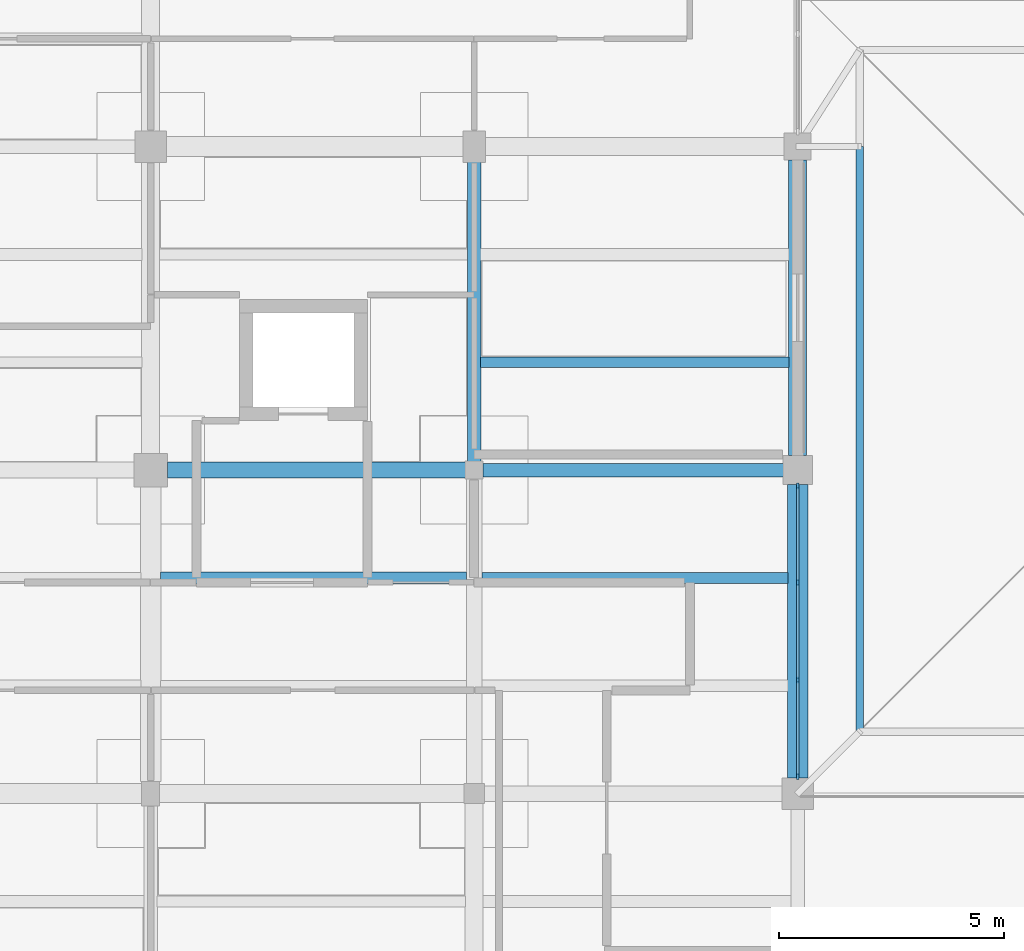
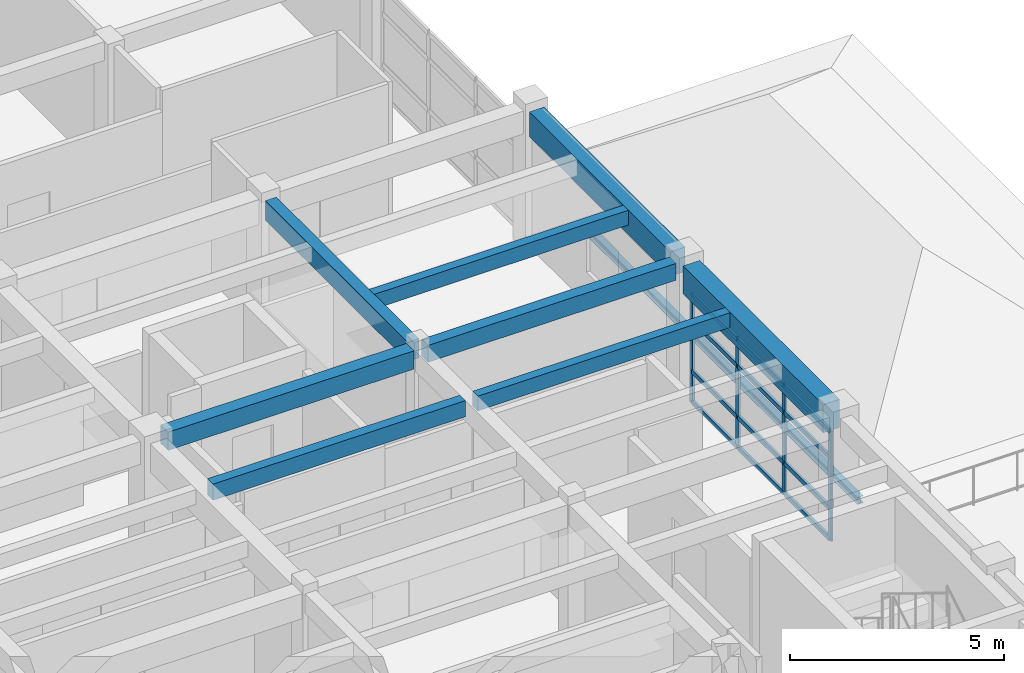
# One storey, part 13 of 55: 17 members, 8 beams, 1 element without a shape of its own.
"""IFC4 building model written with IfcOpenShell, lengths in metres."""

from ifc_helpers import new_model, si_unit, direction, frame, origin, origin_2d, place, context, subcontext, project, spatial, rectangle, i_section, extrude, material, material_profile, profile_set, type_object, element, aggregate, save


model = new_model("IFC4")

# Units and contexts
model_context = context("Model", 3, precision=1e-05, world=origin(), true_north=direction((0.0, 1.0)))
body_context = subcontext(model_context, "Body", "Model", "MODEL_VIEW")
ifc_project = project(units=[si_unit("LENGTHUNIT", "METRE"), si_unit("AREAUNIT", "SQUARE_METRE"), si_unit("VOLUMEUNIT", "CUBIC_METRE"), si_unit("PLANEANGLEUNIT", "RADIAN"), si_unit("MASSUNIT", "GRAM", prefix="KILO")], contexts=[model_context])

# Site, building, storey
site_placement = place(None, origin())
site = spatial("IfcSite", under=ifc_project, at=site_placement, CompositionType="ELEMENT")
building_placement = place(site_placement, origin())
building = spatial("IfcBuilding", under=site, at=building_placement, Name="Steenspoor Specialist Clinic", CompositionType="ELEMENT")
storey_placement = place(building_placement, frame((0.0, 0.0, 13.199951171875)))
storey = spatial("IfcBuildingStorey", under=building, at=storey_placement, Name="L03", CompositionType="ELEMENT", Elevation=13.199951171875)

# Beams
ifc_material_1 = material(Name="Concrete C35/45", Category="concrete")
ifc_material_profile_1 = material_profile(ifc_material_1, rectangle(XDim=0.300048828125, YDim=0.47998046875, at=origin_2d()), Name="RC-BM-300X480")
ifc_profile_set_1 = profile_set([ifc_material_profile_1], Name="Concrete C35/45")
beam_type_1 = type_object("IfcBeamType", Name="BM-RC-300X480", PredefinedType="BEAM", material=ifc_profile_set_1)
beam_1_placement = place(storey_placement, frame((139.794921875, 86.75, 3.7099609375), z_axis=(1.0, 0.0, 0.0), x_axis=(0.0, 1.0, 0.0)))
element("IfcBeam", 1, at=beam_1_placement, inside=storey, type_object=beam_type_1, Name="BM-V6-L03-X1716", PredefinedType="BEAM", context=body_context, shape_type="SweptSolid", body=[
    extrude(rectangle(XDim=0.300048828125, YDim=0.47998046875, at=origin_2d()), origin(), (0.0, 0.0, 1.0), 6.68505859375),
])
ifc_material_profile_2 = material_profile(ifc_material_1, rectangle(XDim=0.300048828125, YDim=0.550048828125, at=origin_2d()), Name="RC-BM-300X550")
ifc_profile_set_2 = profile_set([ifc_material_profile_2], Name="Concrete C35/45")
beam_type_2 = type_object("IfcBeamType", Name="BM-RC-300X550", PredefinedType="BEAM", material=ifc_profile_set_2)
beam_2_placement = place(storey_placement, frame((139.60009765625, 86.945068359375, 3.675048828125), z_axis=(0.0, 1.0, 0.0), x_axis=(-1.0, 0.0, 0.0)))
element("IfcBeam", 2, at=beam_2_placement, inside=storey, type_object=beam_type_2, Name="BM-V6-L03-Y1745", PredefinedType="BEAM", context=body_context, shape_type="SweptSolid", body=[
    extrude(rectangle(XDim=0.300048828125, YDim=0.550048828125, at=origin_2d()), origin(), (0.0, 0.0, 1.0), 6.659912109375),
])
ifc_material_profile_3 = material_profile(ifc_material_1, rectangle(XDim=0.35009765625, YDim=0.52001953125, at=origin_2d()), Name="RC-BM-350X520")
ifc_profile_set_3 = profile_set([ifc_material_profile_3], Name="Concrete C35/45")
beam_type_3 = type_object("IfcBeamType", Name="BM-RC-350X520", PredefinedType="BEAM", material=ifc_profile_set_3)
beam_3_placement = place(storey_placement, frame((132.77001953125, 86.75, 3.68994140625), z_axis=(1.0, 0.0, 0.0), x_axis=(0.0, 1.0, 0.0)))
element("IfcBeam", 3, at=beam_3_placement, inside=storey, type_object=beam_type_3, Name="BM-V6-L03-X1715", PredefinedType="BEAM", context=body_context, shape_type="SweptSolid", body=[
    extrude(rectangle(XDim=0.35009765625, YDim=0.52001953125, at=origin_2d()), origin(), (0.0, 0.0, 1.0), 6.635009765625),
])
ifc_material_profile_4 = material_profile(ifc_material_1, rectangle(XDim=0.39990234375, YDim=0.699951171875, at=origin_2d()), Name="RC-BM-400X700")
ifc_profile_set_4 = profile_set([ifc_material_profile_4], Name="Concrete C35/45")
beam_type_4 = type_object("IfcBeamType", Name="BM-RC-400X700", PredefinedType="BEAM", material=ifc_profile_set_4)
beam_4_placement = place(storey_placement, frame((146.800048828125, 87.070068359375, 3.60009765625), z_axis=(0.0, 1.0, 0.0), x_axis=(-1.0, 0.0, 0.0)))
element("IfcBeam", 4, at=beam_4_placement, inside=storey, type_object=beam_type_4, Name="BM-V6-L03-Y1749", PredefinedType="BEAM", context=body_context, shape_type="SweptSolid", body=[
    extrude(rectangle(XDim=0.39990234375, YDim=0.699951171875, at=origin_2d()), origin(), (0.0, 0.0, 1.0), 6.5849609375),
])
ifc_material_profile_5 = material_profile(ifc_material_1, rectangle(XDim=0.449951171875, YDim=0.800048828125, at=origin_2d()), Name="RC-BM-450X800")
ifc_profile_set_5 = profile_set([ifc_material_profile_5], Name="Concrete C35/45")
beam_type_5 = type_object("IfcBeamType", Name="BM-RC-450X800", PredefinedType="BEAM", material=ifc_profile_set_5)
beam_5_placement = place(storey_placement, frame((146.800048828125, 79.89501953125, 3.550048828125), z_axis=(0.0, 1.0, 0.0), x_axis=(-1.0, 0.0, 0.0)))
element("IfcBeam", 5, at=beam_5_placement, inside=storey, type_object=beam_type_5, Name="BM-V6-L03-Y1748", PredefinedType="BEAM", context=body_context, shape_type="SweptSolid", body=[
    extrude(rectangle(XDim=0.449951171875, YDim=0.800048828125, at=origin_2d()), origin(), (0.0, 0.0, 1.0), 6.534912109375),
])

# Curtain wall, members
ifc_material_2 = material(Name="Thermally broken aluminium and low-emissivity glass", Category="aluminium")
curtain_wall_type = type_object("IfcCurtainWallType", Name="CW-TYP-650X355", PredefinedType="USERDEFINED", material=ifc_material_2)
curtain_wall_placement = place(storey_placement, origin())
curtain_wall = element("IfcCurtainWall", 6, at=curtain_wall_placement, inside=storey, type_object=curtain_wall_type, Name="Unitised Curtain Wall CW-V6-L03-202", ObjectType="UNITISED GLAZING", PredefinedType="USERDEFINED")
ifc_material_3 = material(Name="Thermally broken aluminium 6063-T6", Category="aluminium")
ifc_material_profile_6 = material_profile(ifc_material_3, rectangle(XDim=0.06005859375, YDim=0.135009765625, at=origin_2d()), Name="CWM-60X135")
ifc_profile_set_6 = profile_set([ifc_material_profile_6], Name="Thermally broken aluminium 6063-T6")
member_type_1 = type_object("IfcMemberType", Name="CW-MULL-60X135", PredefinedType="MULLION", material=ifc_profile_set_6)
member_1_placement = place(storey_placement, frame((146.800048828125, 86.39501953125, 0.0), z_axis=(0.0, 0.0, 1.0), x_axis=(1.0, 0.0, 0.0)))
member_1 = element("IfcMember", 7, at=member_1_placement, type_object=member_type_1, Name="CW-10 mullion 1", PredefinedType="MULLION", context=body_context, shape_type="SweptSolid", body=[
    extrude(rectangle(XDim=0.06005859375, YDim=0.135009765625, at=origin_2d()), origin(), (0.0, 0.0, 1.0), 3.130126953125),
])
member_2_placement = place(storey_placement, frame((146.800048828125, 84.25, 0.0), z_axis=(0.0, 0.0, 1.0), x_axis=(1.0, 0.0, 0.0)))
member_2 = element("IfcMember", 8, at=member_2_placement, type_object=member_type_1, Name="CW-10 mullion 2", PredefinedType="MULLION", context=body_context, shape_type="SweptSolid", body=[
    extrude(rectangle(XDim=0.06005859375, YDim=0.135009765625, at=origin_2d()), origin(), (0.0, 0.0, 1.0), 3.130126953125),
])
member_3_placement = place(storey_placement, frame((146.800048828125, 82.074951171875, 0.0), z_axis=(0.0, 0.0, 1.0), x_axis=(1.0, 0.0, 0.0)))
member_3 = element("IfcMember", 9, at=member_3_placement, type_object=member_type_1, Name="CW-10 mullion 3", PredefinedType="MULLION", context=body_context, shape_type="SweptSolid", body=[
    extrude(rectangle(XDim=0.06005859375, YDim=0.135009765625, at=origin_2d()), origin(), (0.0, 0.0, 1.0), 3.130126953125),
])
member_4_placement = place(storey_placement, frame((146.800048828125, 79.929931640625, 0.0), z_axis=(0.0, 0.0, 1.0), x_axis=(1.0, 0.0, 0.0)))
member_4 = element("IfcMember", 10, at=member_4_placement, type_object=member_type_1, Name="CW-10 mullion 4", PredefinedType="MULLION", context=body_context, shape_type="SweptSolid", body=[
    extrude(rectangle(XDim=0.06005859375, YDim=0.135009765625, at=origin_2d()), origin(), (0.0, 0.0, 1.0), 3.130126953125),
])
ifc_material_profile_7 = material_profile(ifc_material_3, rectangle(XDim=0.06494140625, YDim=0.1298828125, at=origin_2d()), Name="CWT-65X130")
ifc_profile_set_7 = profile_set([ifc_material_profile_7], Name="Thermally broken aluminium 6063-T6")
member_type_2 = type_object("IfcMemberType", Name="CW-TRAN-65X130", PredefinedType="USERDEFINED", material=ifc_profile_set_7)
member_5_placement = place(storey_placement, frame((146.800048828125, 86.364990234375, 0.032470703125), z_axis=(0.0, -1.0, 0.0), x_axis=(1.0, 0.0, 0.0)))
member_5 = element("IfcMember", 11, at=member_5_placement, type_object=member_type_2, Name="CW-10 transom 1.1", ObjectType="TRANSOM", PredefinedType="USERDEFINED", context=body_context, shape_type="SweptSolid", body=[
    extrude(rectangle(XDim=0.06494140625, YDim=0.1298828125, at=origin_2d()), origin(), (0.0, 0.0, 1.0), 2.0849609375),
])
member_6_placement = place(storey_placement, frame((146.800048828125, 86.364990234375, 0.900146484375), z_axis=(0.0, -1.0, 0.0), x_axis=(1.0, 0.0, 0.0)))
member_6 = element("IfcMember", 12, at=member_6_placement, type_object=member_type_2, Name="CW-10 transom 1.2", ObjectType="TRANSOM", PredefinedType="USERDEFINED", context=body_context, shape_type="SweptSolid", body=[
    extrude(rectangle(XDim=0.06494140625, YDim=0.1298828125, at=origin_2d()), origin(), (0.0, 0.0, 1.0), 2.0849609375),
])
member_7_placement = place(storey_placement, frame((146.800048828125, 86.364990234375, 2.35009765625), z_axis=(0.0, -1.0, 0.0), x_axis=(1.0, 0.0, 0.0)))
member_7 = element("IfcMember", 13, at=member_7_placement, type_object=member_type_2, Name="CW-10 transom 1.3", ObjectType="TRANSOM", PredefinedType="USERDEFINED", context=body_context, shape_type="SweptSolid", body=[
    extrude(rectangle(XDim=0.06494140625, YDim=0.1298828125, at=origin_2d()), origin(), (0.0, 0.0, 1.0), 2.0849609375),
])
member_8_placement = place(storey_placement, frame((146.800048828125, 86.364990234375, 3.09765625), z_axis=(0.0, -1.0, 0.0), x_axis=(1.0, 0.0, 0.0)))
member_8 = element("IfcMember", 14, at=member_8_placement, type_object=member_type_2, Name="CW-10 transom 1.4", ObjectType="TRANSOM", PredefinedType="USERDEFINED", context=body_context, shape_type="SweptSolid", body=[
    extrude(rectangle(XDim=0.06494140625, YDim=0.1298828125, at=origin_2d()), origin(), (0.0, 0.0, 1.0), 2.0849609375),
])
member_9_placement = place(storey_placement, frame((146.800048828125, 84.219970703125, 0.032470703125), z_axis=(0.0, -1.0, 0.0), x_axis=(1.0, 0.0, 0.0)))
member_9 = element("IfcMember", 15, at=member_9_placement, type_object=member_type_2, Name="CW-10 transom 2.1", ObjectType="TRANSOM", PredefinedType="USERDEFINED", context=body_context, shape_type="SweptSolid", body=[
    extrude(rectangle(XDim=0.06494140625, YDim=0.1298828125, at=origin_2d()), origin(), (0.0, 0.0, 1.0), 2.114990234375),
])
member_10_placement = place(storey_placement, frame((146.800048828125, 84.219970703125, 0.900146484375), z_axis=(0.0, -1.0, 0.0), x_axis=(1.0, 0.0, 0.0)))
member_10 = element("IfcMember", 16, at=member_10_placement, type_object=member_type_2, Name="CW-10 transom 2.2", ObjectType="TRANSOM", PredefinedType="USERDEFINED", context=body_context, shape_type="SweptSolid", body=[
    extrude(rectangle(XDim=0.06494140625, YDim=0.1298828125, at=origin_2d()), origin(), (0.0, 0.0, 1.0), 2.114990234375),
])
member_11_placement = place(storey_placement, frame((146.800048828125, 84.219970703125, 2.35009765625), z_axis=(0.0, -1.0, 0.0), x_axis=(1.0, 0.0, 0.0)))
member_11 = element("IfcMember", 17, at=member_11_placement, type_object=member_type_2, Name="CW-10 transom 2.3", ObjectType="TRANSOM", PredefinedType="USERDEFINED", context=body_context, shape_type="SweptSolid", body=[
    extrude(rectangle(XDim=0.06494140625, YDim=0.1298828125, at=origin_2d()), origin(), (0.0, 0.0, 1.0), 2.114990234375),
])
member_12_placement = place(storey_placement, frame((146.800048828125, 84.219970703125, 3.09765625), z_axis=(0.0, -1.0, 0.0), x_axis=(1.0, 0.0, 0.0)))
member_12 = element("IfcMember", 18, at=member_12_placement, type_object=member_type_2, Name="CW-10 transom 2.4", ObjectType="TRANSOM", PredefinedType="USERDEFINED", context=body_context, shape_type="SweptSolid", body=[
    extrude(rectangle(XDim=0.06494140625, YDim=0.1298828125, at=origin_2d()), origin(), (0.0, 0.0, 1.0), 2.114990234375),
])
member_13_placement = place(storey_placement, frame((146.800048828125, 82.044921875, 0.032470703125), z_axis=(0.0, -1.0, 0.0), x_axis=(1.0, 0.0, 0.0)))
member_13 = element("IfcMember", 19, at=member_13_placement, type_object=member_type_2, Name="CW-10 transom 3.1", ObjectType="TRANSOM", PredefinedType="USERDEFINED", context=body_context, shape_type="SweptSolid", body=[
    extrude(rectangle(XDim=0.06494140625, YDim=0.1298828125, at=origin_2d()), origin(), (0.0, 0.0, 1.0), 2.0849609375),
])
member_14_placement = place(storey_placement, frame((146.800048828125, 82.044921875, 0.900146484375), z_axis=(0.0, -1.0, 0.0), x_axis=(1.0, 0.0, 0.0)))
member_14 = element("IfcMember", 20, at=member_14_placement, type_object=member_type_2, Name="CW-10 transom 3.2", ObjectType="TRANSOM", PredefinedType="USERDEFINED", context=body_context, shape_type="SweptSolid", body=[
    extrude(rectangle(XDim=0.06494140625, YDim=0.1298828125, at=origin_2d()), origin(), (0.0, 0.0, 1.0), 2.0849609375),
])
member_15_placement = place(storey_placement, frame((146.800048828125, 82.044921875, 2.35009765625), z_axis=(0.0, -1.0, 0.0), x_axis=(1.0, 0.0, 0.0)))
member_15 = element("IfcMember", 21, at=member_15_placement, type_object=member_type_2, Name="CW-10 transom 3.3", ObjectType="TRANSOM", PredefinedType="USERDEFINED", context=body_context, shape_type="SweptSolid", body=[
    extrude(rectangle(XDim=0.06494140625, YDim=0.1298828125, at=origin_2d()), origin(), (0.0, 0.0, 1.0), 2.0849609375),
])
member_16_placement = place(storey_placement, frame((146.800048828125, 82.044921875, 3.09765625), z_axis=(0.0, -1.0, 0.0), x_axis=(1.0, 0.0, 0.0)))
member_16 = element("IfcMember", 22, at=member_16_placement, type_object=member_type_2, Name="CW-10 transom 3.4", ObjectType="TRANSOM", PredefinedType="USERDEFINED", context=body_context, shape_type="SweptSolid", body=[
    extrude(rectangle(XDim=0.06494140625, YDim=0.1298828125, at=origin_2d()), origin(), (0.0, 0.0, 1.0), 2.0849609375),
])
aggregate(curtain_wall, [member_1, member_2, member_3, member_4, member_5, member_6, member_7, member_8, member_9, member_10, member_11, member_12, member_13, member_14, member_15, member_16])

# Beams
ifc_material_profile_8 = material_profile(ifc_material_1, rectangle(XDim=0.239990234375, YDim=0.419921875, at=origin_2d()), Name="RC-JT-240X420")
ifc_profile_set_8 = profile_set([ifc_material_profile_8], Name="Concrete C35/45")
beam_type_6 = type_object("IfcBeamType", Name="JT-RC-240X420", PredefinedType="JOIST", material=ifc_profile_set_8)
beam_6_placement = place(storey_placement, frame((139.77001953125, 84.35009765625, 3.739990234375), z_axis=(1.0, 0.0, 0.0), x_axis=(0.0, 1.0, 0.0)))
element("IfcBeam", 23, at=beam_6_placement, inside=storey, type_object=beam_type_6, Name="JT-V6-L03-1782", PredefinedType="JOIST", context=body_context, shape_type="SweptSolid", body=[
    extrude(rectangle(XDim=0.239990234375, YDim=0.419921875, at=origin_2d()), origin(), (0.0, 0.0, 1.0), 6.81005859375),
])
beam_7_placement = place(storey_placement, frame((139.7451171875, 89.14990234375, 3.739990234375), z_axis=(1.0, 0.0, 0.0), x_axis=(0.0, 1.0, 0.0)))
element("IfcBeam", 24, at=beam_7_placement, inside=storey, type_object=beam_type_6, Name="JT-V6-L03-1783", PredefinedType="JOIST", context=body_context, shape_type="SweptSolid", body=[
    extrude(rectangle(XDim=0.239990234375, YDim=0.419921875, at=origin_2d()), origin(), (0.0, 0.0, 1.0), 6.85986328125),
])
ifc_material_profile_9 = material_profile(ifc_material_1, rectangle(XDim=0.260009765625, YDim=0.4599609375, at=origin_2d()), Name="RC-JT-260X460")
ifc_profile_set_9 = profile_set([ifc_material_profile_9], Name="Concrete C35/45")
beam_type_7 = type_object("IfcBeamType", Name="JT-RC-260X460", PredefinedType="JOIST", material=ifc_profile_set_9)
beam_8_placement = place(storey_placement, frame((132.6201171875, 84.35009765625, 3.719970703125), z_axis=(1.0, 0.0, 0.0), x_axis=(0.0, 1.0, 0.0)))
element("IfcBeam", 25, at=beam_8_placement, inside=storey, type_object=beam_type_7, Name="JT-V6-L03-1777", PredefinedType="JOIST", context=body_context, shape_type="SweptSolid", body=[
    extrude(rectangle(XDim=0.260009765625, YDim=0.4599609375, at=origin_2d()), origin(), (0.0, 0.0, 1.0), 6.809814453125),
])

# Member
ifc_material_4 = material(Name="Steel A992 Grade 50", Category="steel")
ifc_material_profile_10 = material_profile(ifc_material_4, i_section(OverallWidth=0.1650390625, OverallDepth=0.200927734375, WebThickness=0.006103515625, FlangeThickness=0.01025390625, at=origin_2d()), Name="W200X36")
ifc_profile_set_10 = profile_set([ifc_material_profile_10], Name="Steel A992 Grade 50")
member_type_3 = type_object("IfcMemberType", Name="MEM-PURLIN-W200", PredefinedType="PURLIN", material=ifc_profile_set_10)
member_17_placement = place(storey_placement, frame((148.179931640625, 80.929931640625, 0.0439453125), z_axis=(0.0, 1.0, 0.0), x_axis=(-1.0, 0.0, 0.0)))
element("IfcMember", 26, at=member_17_placement, inside=storey, type_object=member_type_3, Name="ROOF TRUSS Knuckle Purlin 488", PredefinedType="PURLIN", context=body_context, shape_type="SweptSolid", body=[
    extrude(i_section(OverallWidth=0.1650390625, OverallDepth=0.200927734375, WebThickness=0.006103515625, FlangeThickness=0.01025390625, at=origin_2d()), origin(), (0.0, 0.0, 1.0), 13.02001953125),
])

save(model, "model.ifc")
